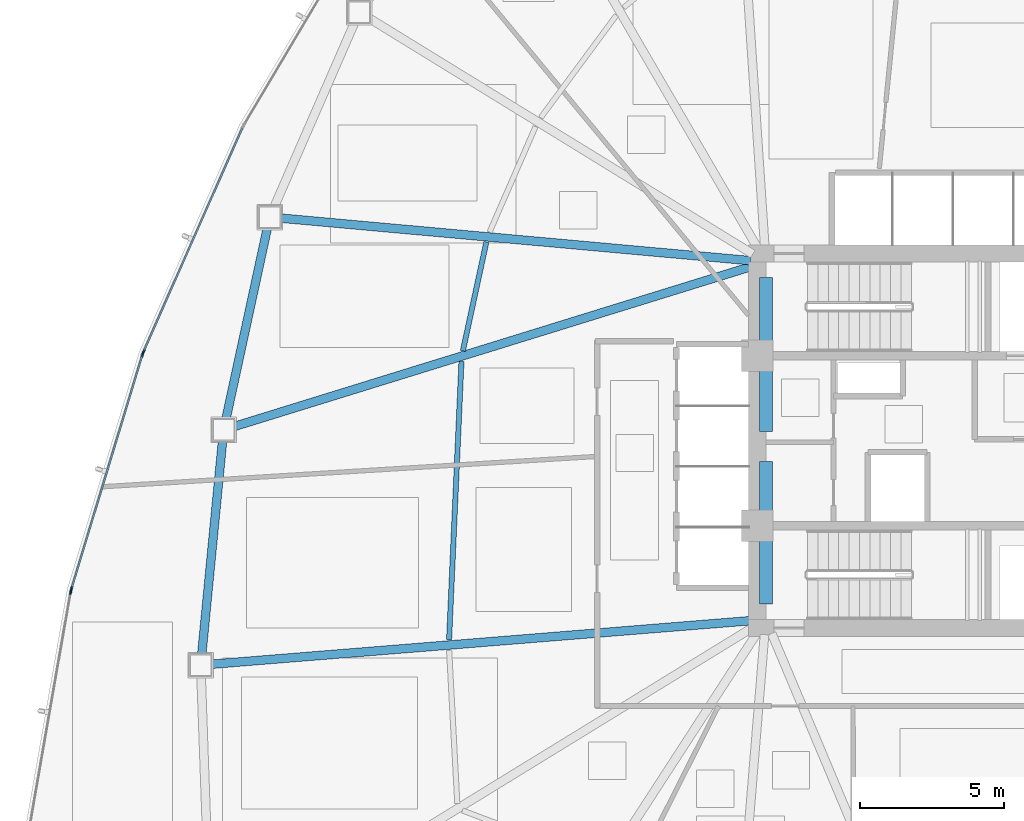
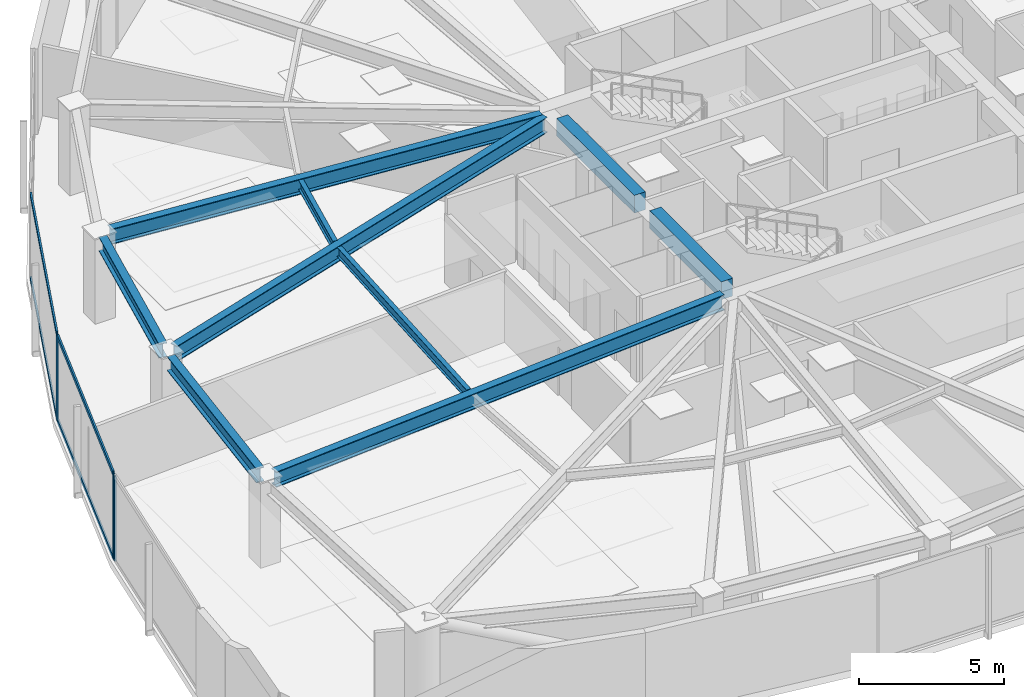
# One storey, part 4 of 16: 9 beams, 8 members, 3 elements without a shape of their own.
"""IFC4 building model written with IfcOpenShell, lengths in metres."""

from ifc_helpers import new_model, si_unit, direction, frame, origin, origin_2d, place, context, subcontext, project, spatial, rectangle, hollow_rectangle, i_section, extrude, source, transform, mapped, material, layer, layer_set, material_profile, profile_set, type_object, type_shapes, element, aggregate, save


model = new_model("IFC4")

# Units and contexts
model_context = context("Model", 3, precision=1e-05, world=origin(), true_north=direction((0.0, 1.0)))
body_context = subcontext(model_context, "Body", "Model", "MODEL_VIEW")
ifc_project = project(units=[si_unit("LENGTHUNIT", "METRE"), si_unit("AREAUNIT", "SQUARE_METRE"), si_unit("VOLUMEUNIT", "CUBIC_METRE"), si_unit("PLANEANGLEUNIT", "RADIAN"), si_unit("MASSUNIT", "GRAM", prefix="KILO")], contexts=[model_context])

# Site, building, storey
site_placement = place(None, origin())
site = spatial("IfcSite", under=ifc_project, at=site_placement, CompositionType="ELEMENT")
building_placement = place(site_placement, origin())
building = spatial("IfcBuilding", under=site, at=building_placement, Name="Tavelor Broadcast Tower", CompositionType="ELEMENT")
storey_placement = place(building_placement, frame((0.0, 0.0, 35.39990234375)))
storey = spatial("IfcBuildingStorey", under=building, at=storey_placement, Name="L07", CompositionType="ELEMENT", Elevation=35.39990234375)

# Beams
ifc_material_1 = material(Name="Concrete C40/50", Category="concrete")
ifc_material_profile_1 = material_profile(ifc_material_1, rectangle(XDim=0.449951171875, YDim=0.75, at=origin_2d()), Name="RC 450x750")
ifc_profile_set_1 = profile_set([ifc_material_profile_1], Name="Concrete C40/50")
beam_type_1 = type_object("IfcBeamType", Name="Basement Core Trim Beam 450x750", PredefinedType="BEAM", material=ifc_profile_set_1)
beam_1_placement = place(storey_placement, frame((43.39990234375, 45.327880859375, 3.22509765625), z_axis=(0.0, 1.0, 0.0), x_axis=(-1.0, 0.0, 0.0)))
element("IfcBeam", 1, at=beam_1_placement, inside=storey, type_object=beam_type_1, Name="L07 Core West-N Tie Girder", PredefinedType="BEAM", context=body_context, shape_type="SweptSolid", body=[
    extrude(rectangle(XDim=0.449951171875, YDim=0.75, at=origin_2d()), origin(), (0.0, 0.0, 1.0), 5.34423828125),
])
beam_2_placement = place(storey_placement, frame((43.39990234375, 39.327880859375, 3.22509765625), z_axis=(0.0, 1.0, 0.0), x_axis=(-1.0, 0.0, 0.0)))
element("IfcBeam", 2, at=beam_2_placement, inside=storey, type_object=beam_type_1, Name="L07 Core West-S Tie Girder", PredefinedType="BEAM", context=body_context, shape_type="SweptSolid", body=[
    extrude(rectangle(XDim=0.449951171875, YDim=0.75, at=origin_2d()), origin(), (0.0, 0.0, 1.0), 4.944091796875),
])
ifc_material_2 = material(Name="Steel S355", Category="steel")
ifc_material_profile_2 = material_profile(ifc_material_2, i_section(OverallWidth=0.179931640625, OverallDepth=0.39990234375, WebThickness=0.008544921875, FlangeThickness=0.013427734375, at=origin_2d()), Name="IPE 400")
ifc_profile_set_2 = profile_set([ifc_material_profile_2], Name="Steel S355")
beam_type_2 = type_object("IfcBeamType", Name="Composite Floor Joist T1 IPE 400", PredefinedType="JOIST", material=ifc_profile_set_2)
beam_3_placement = place(storey_placement, frame((33.70654296875, 51.897216796875, 3.400146484375), z_axis=(-0.211371868345, -0.977405715797, 0.0), x_axis=(0.977405715797, -0.211371868345, 0.0)))
element("IfcBeam", 3, at=beam_3_placement, inside=storey, type_object=beam_type_2, Name="L07 Secondary Composite Floor Joist 04", PredefinedType="JOIST", context=body_context, shape_type="SweptSolid", body=[
    extrude(i_section(OverallWidth=0.179931640625, OverallDepth=0.39990234375, WebThickness=0.008544921875, FlangeThickness=0.013427734375, at=origin_2d()), origin(), (0.0, 0.0, 1.0), 3.87158203125),
])
beam_4_placement = place(storey_placement, frame((32.841796875, 47.75537109375, 3.400146484375), z_axis=(-0.044449316538, -0.999011640703, 0.0), x_axis=(0.999011640703, -0.044449316538, 0.0)))
element("IfcBeam", 4, at=beam_4_placement, inside=storey, type_object=beam_type_2, Name="L07 Secondary Composite Floor Joist 05", PredefinedType="JOIST", context=body_context, shape_type="SweptSolid", body=[
    extrude(i_section(OverallWidth=0.179931640625, OverallDepth=0.39990234375, WebThickness=0.008544921875, FlangeThickness=0.013427734375, at=origin_2d()), origin(), (0.0, 0.0, 1.0), 9.67236328125),
])
ifc_material_profile_3 = material_profile(ifc_material_2, i_section(OverallWidth=0.300048828125, OverallDepth=0.60009765625, WebThickness=0.015380859375, FlangeThickness=0.030029296875, at=origin_2d()), Name="HEB 600")
ifc_profile_set_3 = profile_set([ifc_material_profile_3], Name="Steel S355")
beam_type_3 = type_object("IfcBeamType", Name="Perimeter Spandrel Beam T1 HEB 600", PredefinedType="SPANDREL", material=ifc_profile_set_3)
beam_5_placement = place(storey_placement, frame((26.10791015625, 52.3828125, 3.300048828125), z_axis=(-0.211857092451, -0.977300656082, 0.0), x_axis=(0.977300656082, -0.211857092451, 0.0)))
element("IfcBeam", 5, at=beam_5_placement, inside=storey, type_object=beam_type_3, Name="L07 Framed-Tube Ring Spandrel 04", PredefinedType="SPANDREL", context=body_context, shape_type="SweptSolid", body=[
    extrude(i_section(OverallWidth=0.300048828125, OverallDepth=0.60009765625, WebThickness=0.015380859375, FlangeThickness=0.030029296875, at=origin_2d()), origin(), (0.0, 0.0, 1.0), 6.780517578125),
])
beam_6_placement = place(storey_placement, frame((24.552734375, 44.99853515625, 3.300048828125), z_axis=(-0.096967474029, -0.995287550902, 0.0), x_axis=(0.995287550902, -0.096967474029, 0.0)))
element("IfcBeam", 6, at=beam_6_placement, inside=storey, type_object=beam_type_3, Name="L07 Framed-Tube Ring Spandrel 05", PredefinedType="SPANDREL", context=body_context, shape_type="SweptSolid", body=[
    extrude(i_section(OverallWidth=0.300048828125, OverallDepth=0.60009765625, WebThickness=0.015380859375, FlangeThickness=0.030029296875, at=origin_2d()), origin(), (0.0, 0.0, 1.0), 7.43505859375),
])
ifc_material_profile_4 = material_profile(ifc_material_2, i_section(OverallWidth=0.300048828125, OverallDepth=0.64990234375, WebThickness=0.01611328125, FlangeThickness=0.031005859375, at=origin_2d()), Name="HEB 650")
ifc_profile_set_4 = profile_set([ifc_material_profile_4], Name="Steel S355")
beam_type_4 = type_object("IfcBeamType", Name="Radial Floor Girder T1 HEB 650", PredefinedType="BEAM", material=ifc_profile_set_4)
beam_7_placement = place(storey_placement, frame((42.874267578125, 51.24755859375, 3.275146484375), z_axis=(-0.995926026359, 0.090173998583, 0.0), x_axis=(-0.090173998583, -0.995926026359, 0.0)))
element("IfcBeam", 7, at=beam_7_placement, inside=storey, type_object=beam_type_4, Name="L07 Radial Primary Floor Girder 04", PredefinedType="BEAM", context=body_context, shape_type="SweptSolid", body=[
    extrude(i_section(OverallWidth=0.300048828125, OverallDepth=0.64990234375, WebThickness=0.01611328125, FlangeThickness=0.031005859375, at=origin_2d()), origin(), (0.0, 0.0, 1.0), 16.369140625),
])
beam_8_placement = place(storey_placement, frame((42.8955078125, 51.0439453125, 3.275146484375), z_axis=(-0.955325842182, -0.29555462314, 0.0), x_axis=(0.29555462314, -0.955325842182, 0.0)))
element("IfcBeam", 8, at=beam_8_placement, inside=storey, type_object=beam_type_4, Name="L07 Radial Primary Floor Girder 05", PredefinedType="BEAM", context=body_context, shape_type="SweptSolid", body=[
    extrude(i_section(OverallWidth=0.300048828125, OverallDepth=0.64990234375, WebThickness=0.01611328125, FlangeThickness=0.031005859375, at=origin_2d()), origin(), (0.0, 0.0, 1.0), 18.777587890625),
])
beam_9_placement = place(storey_placement, frame((42.873779296875, 38.757568359375, 3.275146484375), z_axis=(-0.996753315624, -0.080516009538, 0.0), x_axis=(0.080516009538, -0.996753315624, 0.0)))
element("IfcBeam", 9, at=beam_9_placement, inside=storey, type_object=beam_type_4, Name="L07 Radial Primary Floor Girder 06", PredefinedType="BEAM", context=body_context, shape_type="SweptSolid", body=[
    extrude(i_section(OverallWidth=0.300048828125, OverallDepth=0.64990234375, WebThickness=0.01611328125, FlangeThickness=0.031005859375, at=origin_2d()), origin(), (0.0, 0.0, 1.0), 18.757080078125),
])

# Curtain wall, member
ifc_material_3 = material(Name="Architectural Anodized Aluminium", Category="aluminium")
ifc_layer = layer(ifc_material_3, 0.179931640625)
ifc_layer_set = layer_set([ifc_layer], Name="Architectural Anodized Aluminium")
curtain_wall_type = type_object("IfcCurtainWallType", Name="Tower Low-Zone Unitised Curtain Wall CW02", PredefinedType="NOTDEFINED", material=ifc_layer_set)
curtain_wall_1_placement = place(storey_placement, origin())
curtain_wall_1 = element("IfcCurtainWall", 10, at=curtain_wall_1_placement, inside=storey, type_object=curtain_wall_type, Name="L07 Curtain Wall CW02 Run 38", PredefinedType="NOTDEFINED")
ifc_material_profile_5 = material_profile(ifc_material_3, hollow_rectangle(XDim=0.06494140625, YDim=0.179931640625, WallThickness=0.02197265625, at=origin_2d()), Name="RHS 65x180x22")
ifc_profile_set_5 = profile_set([ifc_material_profile_5], Name="Architectural Anodized Aluminium")
member_type_1 = type_object("IfcMemberType", Name="CW02 Extruded Aluminium Mullion 65x180", PredefinedType="MULLION", material=ifc_profile_set_5)
shared_shape_1 = source(origin(), body_context, "Body", "SweptSolid", [
    extrude(hollow_rectangle(XDim=0.06494140625, YDim=0.179931640625, WallThickness=0.02197265625, at=origin_2d()), origin(), (0.0, 0.0, 1.0), 3.60009765625),
])
type_shapes(member_type_1, [shared_shape_1])
member_1_placement = place(storey_placement, frame((21.810546875, 48.083251953125, 0.0), z_axis=(0.0, 0.0, 1.0), x_axis=(0.914783170915, -0.403945231697, 0.0)))
member_1 = element("IfcMember", 11, at=member_1_placement, type_object=member_type_1, Name="CW02 mullion 2", PredefinedType="MULLION", context=body_context, shape_type="MappedRepresentation", body=[
    mapped(shared_shape_1, transform((0.0, 0.0, 0.0), scale=1.0)),
])

# Curtain wall, members
curtain_wall_2_placement = place(storey_placement, origin())
curtain_wall_2 = element("IfcCurtainWall", 12, at=curtain_wall_2_placement, inside=storey, type_object=curtain_wall_type, Name="L07 Curtain Wall CW02 Run 39", PredefinedType="NOTDEFINED")
member_2_placement = place(storey_placement, frame((21.777587890625, 47.994384765625, 0.0), z_axis=(0.0, 0.0, 1.0), x_axis=(0.9569439061, -0.290272907068, 0.0)))
member_2 = element("IfcMember", 13, at=member_2_placement, type_object=member_type_1, Name="CW02 mullion 1", PredefinedType="MULLION", context=body_context, shape_type="MappedRepresentation", body=[
    mapped(shared_shape_1, transform((0.0, 0.0, 0.0), scale=1.0)),
])
member_3_placement = place(storey_placement, frame((19.30859375, 39.8544921875, 0.0), z_axis=(0.0, 0.0, 1.0), x_axis=(0.9569439061, -0.290272907068, 0.0)))
member_3 = element("IfcMember", 14, at=member_3_placement, type_object=member_type_1, Name="CW02 mullion 2", PredefinedType="MULLION", context=body_context, shape_type="MappedRepresentation", body=[
    mapped(shared_shape_1, transform((0.0, 0.0, 0.0), scale=1.0)),
])

# Curtain wall, member
curtain_wall_3_placement = place(storey_placement, origin())
curtain_wall_3 = element("IfcCurtainWall", 15, at=curtain_wall_3_placement, inside=storey, type_object=curtain_wall_type, Name="L07 Curtain Wall CW02 Run 40", PredefinedType="NOTDEFINED")
member_4_placement = place(storey_placement, frame((19.28662109375, 39.76220703125, 0.0), z_axis=(0.0, 0.0, 1.0), x_axis=(0.985037831939, -0.172338241982, 0.0)))
member_4 = element("IfcMember", 16, at=member_4_placement, type_object=member_type_1, Name="CW02 mullion 1", PredefinedType="MULLION", context=body_context, shape_type="MappedRepresentation", body=[
    mapped(shared_shape_1, transform((0.0, 0.0, 0.0), scale=1.0)),
])
aggregate(curtain_wall_3, [member_4])

# Member
ifc_material_profile_6 = material_profile(ifc_material_3, hollow_rectangle(XDim=0.06494140625, YDim=0.179931640625, WallThickness=0.02197265625, at=origin_2d()), Name="RHS 65x180x22")
ifc_profile_set_6 = profile_set([ifc_material_profile_6], Name="Architectural Anodized Aluminium")
member_type_2 = type_object("IfcMemberType", Name="CW02 Extruded Aluminium Transom 65x180", PredefinedType="USERDEFINED", material=ifc_profile_set_6)
shared_shape_2 = source(origin(), body_context, "Body", "SweptSolid", [
    extrude(hollow_rectangle(XDim=0.06494140625, YDim=0.179931640625, WallThickness=0.02197265625, at=origin_2d()), origin(), (0.0, 0.0, 1.0), 8.44140625),
])
type_shapes(member_type_2, [shared_shape_2])
member_5_placement = place(storey_placement, frame((25.233642578125, 55.8349609375, 0.03271484375), z_axis=(-0.403955624566, -0.914778581615, 0.0), x_axis=(0.914778581615, -0.403955624566, 0.0)))
member_5 = element("IfcMember", 17, at=member_5_placement, type_object=member_type_2, Name="CW02 transom 1.1", ObjectType="TRANSOM", PredefinedType="USERDEFINED", context=body_context, shape_type="MappedRepresentation", body=[
    mapped(shared_shape_2, transform((0.0, 0.0, 0.0), scale=1.0)),
])

member_6_placement = place(storey_placement, frame((25.233642578125, 55.8349609375, 3.567626953125), z_axis=(-0.403955624566, -0.914778581615, 0.0), x_axis=(0.914778581615, -0.403955624566, 0.0)))
member_6 = element("IfcMember", 18, at=member_6_placement, type_object=member_type_2, Name="CW02 transom 1.2", ObjectType="TRANSOM", PredefinedType="USERDEFINED", context=body_context, shape_type="MappedRepresentation", body=[
    mapped(shared_shape_2, transform((0.0, 0.0, 0.0), scale=1.0)),
])

aggregate(curtain_wall_1, [member_1, member_5, member_6])

member_7_placement = place(storey_placement, frame((21.768310546875, 47.96337890625, 0.03271484375), z_axis=(-0.290289134099, -0.956938983752, 0.0), x_axis=(0.956938983752, -0.290289134099, 0.0)))
member_7 = element("IfcMember", 19, at=member_7_placement, type_object=member_type_2, Name="CW02 transom 1.1", ObjectType="TRANSOM", PredefinedType="USERDEFINED", context=body_context, shape_type="MappedRepresentation", body=[
    mapped(shared_shape_2, transform((0.0, 0.0, 0.0), scale=1.0)),
])

member_8_placement = place(storey_placement, frame((21.768310546875, 47.96337890625, 3.567626953125), z_axis=(-0.290289134099, -0.956938983752, 0.0), x_axis=(0.956938983752, -0.290289134099, 0.0)))
member_8 = element("IfcMember", 20, at=member_8_placement, type_object=member_type_2, Name="CW02 transom 1.2", ObjectType="TRANSOM", PredefinedType="USERDEFINED", context=body_context, shape_type="MappedRepresentation", body=[
    mapped(shared_shape_2, transform((0.0, 0.0, 0.0), scale=1.0)),
])

aggregate(curtain_wall_2, [member_2, member_3, member_7, member_8])

save(model, "model.ifc")
